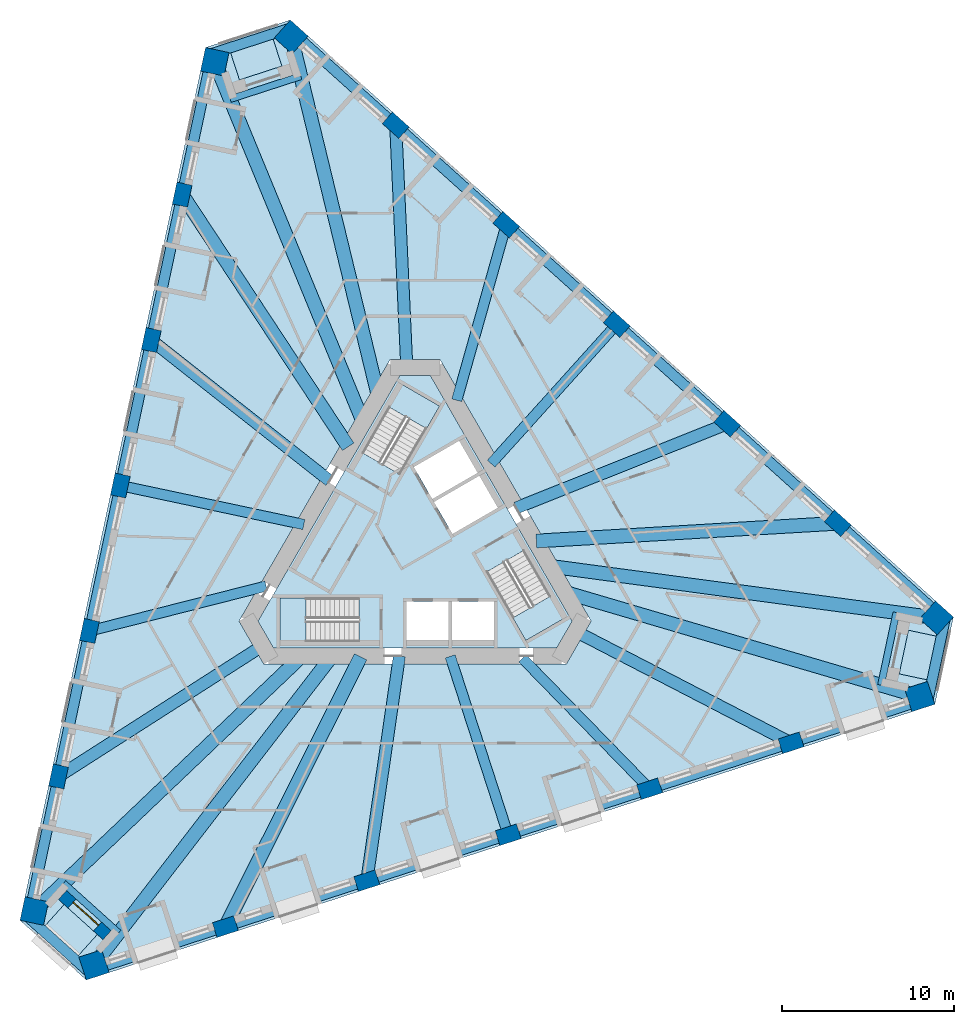
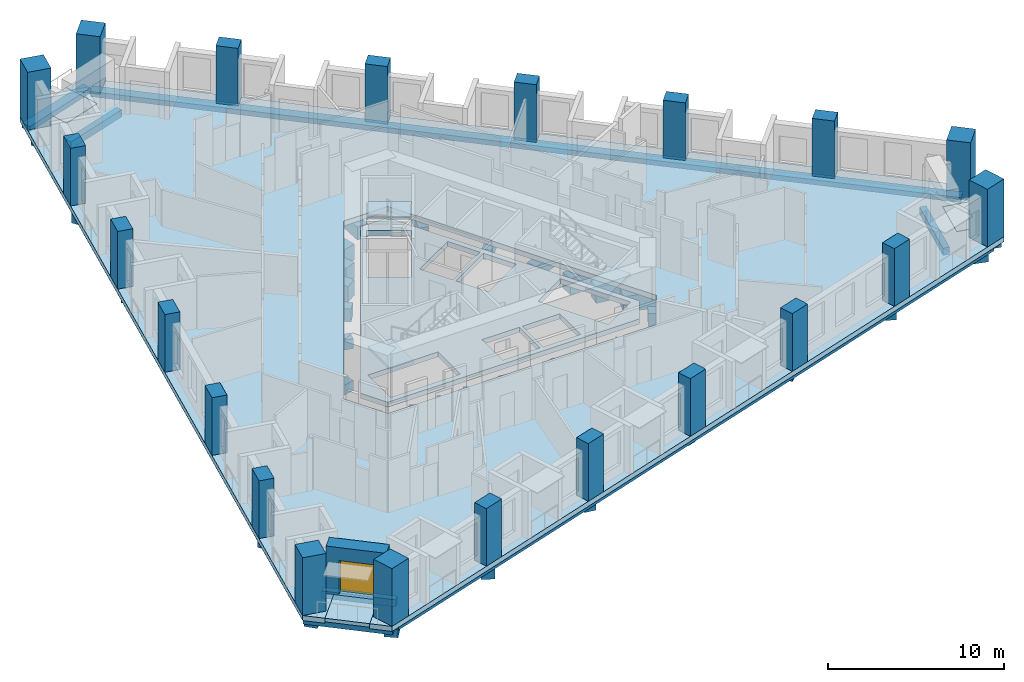
# One storey, part 1 of 13: 30 beams, 21 columns, 8 slabs, 1 door, 1 wall, 1 opening, 3 elements without a shape of their own.
"""IFC4 building model written with IfcOpenShell, lengths in metres."""

from ifc_helpers import new_model, si_unit, direction, frame, frame_2d, origin, origin_2d, place, context, subcontext, project, spatial, polyline, rectangle, outline, extrude, material, layer, layer_set, material_profile, profile_set, type_object, element, fill, aggregate, save


model = new_model("IFC4")

# Units and contexts
model_context = context("Model", 3, precision=1e-05, world=origin(), true_north=direction((0.0, 1.0)))
body_context = subcontext(model_context, "Body", "Model", "MODEL_VIEW")
ifc_project = project(units=[si_unit("LENGTHUNIT", "METRE"), si_unit("AREAUNIT", "SQUARE_METRE"), si_unit("VOLUMEUNIT", "CUBIC_METRE"), si_unit("PLANEANGLEUNIT", "RADIAN"), si_unit("MASSUNIT", "GRAM", prefix="KILO")], contexts=[model_context])

# Site, building, storey
site_placement = place(None, origin())
site = spatial("IfcSite", under=ifc_project, at=site_placement, CompositionType="ELEMENT")
building_placement = place(site_placement, origin())
building = spatial("IfcBuilding", under=site, at=building_placement, Name="Tramontana Tower", CompositionType="ELEMENT")
storey_placement = place(building_placement, frame((0.0, 0.0, 112.39990234375)))
storey = spatial("IfcBuildingStorey", under=building, at=storey_placement, Name="L25", CompositionType="ELEMENT", Elevation=112.39990234375)

# Columns
ifc_material_1 = material(Name="Concrete 70 MPa", Category="concrete")
ifc_material_profile_1 = material_profile(ifc_material_1, rectangle(XDim=1.39990234375, YDim=1.39990234375, at=origin_2d()), Name="Mega column 1400X1400 70 MPa")
ifc_profile_set_1 = profile_set([ifc_material_profile_1], Name="Concrete 70 MPa")
column_type_1 = type_object("IfcColumnType", Name="Mega column 1400X1400 70 MPa", PredefinedType="COLUMN", material=ifc_profile_set_1)
for number, where, z_axis, x_axis, name in (
    (1, (-11.665771484375, 28.3251953125, 0.0), (0.0, 0.0, 1.0), (-0.207911690818, -0.978147600734, 0.0), "Mega column C2K1 L25"),
    (2, (-22.17822265625, -21.13134765625, 0.0), (0.0, 0.0, 1.0), (-0.207911690818, -0.978147600734, 0.0), "Mega column C2K2 L25"),
    (3, (-18.697509765625, -24.265380859375, 0.0), (0.0, 0.0, 1.0), (0.951056516295, 0.309016994375, 0.0), "Mega column C2K3 L25"),
    (4, (29.389404296875, -8.64111328125, 0.0), (0.0, 0.0, 1.0), (0.951056516295, 0.309016994375, 0.0), "Mega column C2K4 L25"),
    (5, (30.36328125, -4.059814453125, 0.0), (0.0, 0.0, 1.0), (-0.743144825477, 0.669130606359, 0.0), "Mega column C2K5 L25"),
    (6, (-7.21142578125, 29.7724609375, 0.0), (0.0, 0.0, 1.0), (-0.743144825477, 0.669130606359, 0.0), "Mega column C2K6 L25"),
):
    element("IfcColumn", number, at=place(storey_placement, frame(where, z_axis=z_axis, x_axis=x_axis)), inside=storey, type_object=column_type_1, Name=name, PredefinedType="COLUMN", context=body_context, shape_type="SweptSolid", body=[
        extrude(rectangle(XDim=1.39990234375, YDim=1.39990234375, at=origin_2d()), origin(), (0.0, 0.0, 1.0), 4.0),
    ])
ifc_material_2 = material(Name="Concrete 55 MPa", Category="concrete")
ifc_material_profile_2 = material_profile(ifc_material_2, rectangle(XDim=1.300048828125, YDim=0.89990234375, at=origin_2d()), Name="Pier column 1300X900 55 MPa")
ifc_profile_set_2 = profile_set([ifc_material_profile_2], Name="Concrete 55 MPa")
column_type_2 = type_object("IfcColumnType", Name="Pier column 1300X900 55 MPa", PredefinedType="COLUMN", material=ifc_profile_set_2)
for number, where, z_axis, x_axis, name in (
    (7, (-13.5654296875, 20.5908203125, 0.0), (0.0, 0.0, 1.0), (-0.207911690818, -0.978147600734, 0.0), "Pier column C2F01 L25"),
    (8, (-15.365966796875, 12.119873046875, 0.0), (0.0, 0.0, 1.0), (-0.207911690818, -0.978147600734, 0.0), "Pier column C2F02 L25"),
    (9, (-17.16650390625, 3.64892578125, 0.0), (0.0, 0.0, 1.0), (-0.207911690818, -0.978147600734, 0.0), "Pier column C2F03 L25"),
    (10, (-18.967041015625, -4.822265625, 0.0), (0.0, 0.0, 1.0), (-0.207911690818, -0.978147600734, 0.0), "Pier column C2F04 L25"),
    (11, (-20.767578125, -13.293212890625, 0.0), (0.0, 0.0, 1.0), (-0.207911690818, -0.978147600734, 0.0), "Pier column C2F05 L25"),
    (12, (-11.049560546875, -22.04345703125, 0.0), (0.0, 0.0, 1.0), (0.951056516295, 0.309016994375, 0.0), "Pier column C2F06 L25"),
    (13, (-2.813232421875, -19.3671875, 0.0), (0.0, 0.0, 1.0), (0.951056516295, 0.309016994375, 0.0), "Pier column C2F07 L25"),
    (14, (5.42333984375, -16.691162109375, 0.0), (0.0, 0.0, 1.0), (0.951056516295, 0.309016994375, 0.0), "Pier column C2F08 L25"),
    (15, (13.65966796875, -14.014892578125, 0.0), (0.0, 0.0, 1.0), (0.951056516295, 0.309016994375, 0.0), "Pier column C2F09 L25"),
    (16, (21.89599609375, -11.338623046875, 0.0), (0.0, 0.0, 1.0), (0.951056516295, 0.309016994375, 0.0), "Pier column C2F10 L25"),
    (17, (24.614990234375, 1.452392578125, 0.0), (0.0, 0.0, 1.0), (-0.743144825477, 0.669130606359, 0.0), "Pier column C2F11 L25"),
    (18, (18.178955078125, 7.247314453125, 0.0), (0.0, 0.0, 1.0), (-0.743144825477, 0.669130606359, 0.0), "Pier column C2F12 L25"),
    (19, (11.7431640625, 13.042236328125, 0.0), (0.0, 0.0, 1.0), (-0.743144825477, 0.669130606359, 0.0), "Pier column C2F13 L25"),
    (20, (5.307373046875, 18.8369140625, 0.0), (0.0, 0.0, 1.0), (-0.743144825477, 0.669130606359, 0.0), "Pier column C2F14 L25"),
    (21, (-1.12841796875, 24.6318359375, 0.0), (0.0, 0.0, 1.0), (-0.743144825477, 0.669130606359, 0.0), "Pier column C2F15 L25"),
):
    element("IfcColumn", number, at=place(storey_placement, frame(where, z_axis=z_axis, x_axis=x_axis)), inside=storey, type_object=column_type_2, Name=name, PredefinedType="COLUMN", context=body_context, shape_type="SweptSolid", body=[
        extrude(rectangle(XDim=1.300048828125, YDim=0.89990234375, at=origin_2d()), origin(), (0.0, 0.0, 1.0), 4.0),
    ])

# Beams
ifc_material_3 = material(Name="Concrete 40 MPa", Category="concrete")
ifc_material_profile_3 = material_profile(ifc_material_3, rectangle(XDim=0.60009765625, YDim=0.35009765625, at=origin_2d()), Name="RC EDGE BEAM 600X350 40 MPa")
ifc_profile_set_3 = profile_set([ifc_material_profile_3], Name="Concrete 40 MPa")
beam_type_1 = type_object("IfcBeamType", Name="RC EDGE BEAM 600X350 40 MPa", PredefinedType="SPANDREL", material=ifc_profile_set_3)
beam_1_placement = place(storey_placement, frame((-11.910400390625, 28.377197265625, -0.52490234375), z_axis=(-0.207908708796, -0.978148234577, 0.0), x_axis=(0.978148234577, -0.207908708796, 0.0)))
element("IfcBeam", 22, at=beam_1_placement, inside=storey, type_object=beam_type_1, Name="Spandrel beam S0 L25", PredefinedType="SPANDREL", context=body_context, shape_type="SweptSolid", body=[
    extrude(rectangle(XDim=0.60009765625, YDim=0.35009765625, at=origin_2d()), origin(), (0.0, 0.0, 1.0), 50.561767578125),
])
beam_2_placement = place(storey_placement, frame((-18.6201171875, -24.503173828125, -0.52490234375), z_axis=(0.95105720178, 0.309014884661, 0.0), x_axis=(-0.309014884661, 0.95105720178, 0.0)))
element("IfcBeam", 23, at=beam_2_placement, inside=storey, type_object=beam_type_1, Name="Spandrel beam S1 L25", PredefinedType="SPANDREL", context=body_context, shape_type="SweptSolid", body=[
    extrude(rectangle(XDim=0.60009765625, YDim=0.35009765625, at=origin_2d()), origin(), (0.0, 0.0, 1.0), 50.5615234375),
])
beam_3_placement = place(storey_placement, frame((30.530517578125, -3.873779296875, -0.52490234375), z_axis=(-0.743146468863, 0.66912878119, 0.0), x_axis=(-0.66912878119, -0.743146468863, 0.0)))
element("IfcBeam", 24, at=beam_3_placement, inside=storey, type_object=beam_type_1, Name="Spandrel beam S2 L25", PredefinedType="SPANDREL", context=body_context, shape_type="SweptSolid", body=[
    extrude(rectangle(XDim=0.60009765625, YDim=0.35009765625, at=origin_2d()), origin(), (0.0, 0.0, 1.0), 50.561279296875),
])
beam_4_placement = place(storey_placement, frame((-7.1240234375, 30.333251953125, -0.52490234375), z_axis=(-0.951056854477, -0.309015953557, 0.0), x_axis=(0.309015953557, -0.951056854477, 0.0)))
element("IfcBeam", 25, at=beam_4_placement, inside=storey, type_object=beam_type_1, Name="Spandrel beam K0 L25", PredefinedType="SPANDREL", context=body_context, shape_type="SweptSolid", body=[
    extrude(rectangle(XDim=0.60009765625, YDim=0.35009765625, at=origin_2d()), origin(), (0.0, 0.0, 1.0), 5.1962890625),
])
beam_5_placement = place(storey_placement, frame((-22.707275390625, -21.336181640625, -0.52490234375), z_axis=(0.743160964229, -0.669112682025, 0.0), x_axis=(0.669112682025, 0.743160964229, 0.0)))
element("IfcBeam", 26, at=beam_5_placement, inside=storey, type_object=beam_type_1, Name="Spandrel beam K1 L25", PredefinedType="SPANDREL", context=body_context, shape_type="SweptSolid", body=[
    extrude(rectangle(XDim=0.60009765625, YDim=0.35009765625, at=origin_2d()), origin(), (0.0, 0.0, 1.0), 5.196044921875),
])
beam_6_placement = place(storey_placement, frame((29.831298828125, -8.9970703125, -0.52490234375), z_axis=(0.207902023431, 0.97814965555, 0.0), x_axis=(-0.97814965555, 0.207902023431, 0.0)))
element("IfcBeam", 27, at=beam_6_placement, inside=storey, type_object=beam_type_1, Name="Spandrel beam K2 L25", PredefinedType="SPANDREL", context=body_context, shape_type="SweptSolid", body=[
    extrude(rectangle(XDim=0.60009765625, YDim=0.35009765625, at=origin_2d()), origin(), (0.0, 0.0, 1.0), 5.1962890625),
])
ifc_material_4 = material(Name="Concrete 40 MPa", Category="concrete")
ifc_material_profile_4 = material_profile(ifc_material_4, rectangle(XDim=0.60009765625, YDim=0.699951171875, at=origin_2d()), Name="RC GIRDER 600X700 40 MPa")
ifc_profile_set_4 = profile_set([ifc_material_profile_4], Name="Concrete 40 MPa")
beam_type_2 = type_object("IfcBeamType", Name="RC GIRDER 600X700 40 MPa", PredefinedType="BEAM", material=ifc_profile_set_4)
beam_7_placement = place(storey_placement, frame((-17.16650390625, 3.64892578125, -0.699951171875), z_axis=(0.978147322784, -0.207912998466, 0.0), x_axis=(0.207912998466, 0.978147322784, 0.0)))
element("IfcBeam", 28, at=beam_7_placement, inside=storey, type_object=beam_type_2, Name="Radial girder C2F03 L25", PredefinedType="BEAM", context=body_context, shape_type="SweptSolid", body=[
    extrude(rectangle(XDim=0.60009765625, YDim=0.699951171875, at=origin_2d()), origin(), (0.0, 0.0, 1.0), 10.927490234375),
])
beam_8_placement = place(storey_placement, frame((-18.967041015625, -4.822265625, -0.699951171875), z_axis=(0.969167879742, 0.24640134106, 0.0), x_axis=(-0.24640134106, 0.969167879742, 0.0)))
element("IfcBeam", 29, at=beam_8_placement, inside=storey, type_object=beam_type_2, Name="Radial girder C2F04 L25", PredefinedType="BEAM", context=body_context, shape_type="SweptSolid", body=[
    extrude(rectangle(XDim=0.60009765625, YDim=0.699951171875, at=origin_2d()), origin(), (0.0, 0.0, 1.0), 10.61962890625),
])
beam_9_placement = place(storey_placement, frame((5.423095703125, -16.69091796875, -0.699951171875), z_axis=(-0.309006757929, 0.951059842257, 0.0), x_axis=(-0.951059842257, -0.309006757929, 0.0)))
element("IfcBeam", 30, at=beam_9_placement, inside=storey, type_object=beam_type_2, Name="Radial girder C2F08 L25", PredefinedType="BEAM", context=body_context, shape_type="SweptSolid", body=[
    extrude(rectangle(XDim=0.60009765625, YDim=0.699951171875, at=origin_2d()), origin(), (0.0, 0.0, 1.0), 10.927734375),
])
beam_10_placement = place(storey_placement, frame((13.65966796875, -14.014892578125, -0.699951171875), z_axis=(-0.697979323515, 0.716117912041, 0.0), x_axis=(-0.716117912041, -0.697979323515, 0.0)))
element("IfcBeam", 31, at=beam_10_placement, inside=storey, type_object=beam_type_2, Name="Radial girder C2F09 L25", PredefinedType="BEAM", context=body_context, shape_type="SweptSolid", body=[
    extrude(rectangle(XDim=0.60009765625, YDim=0.699951171875, at=origin_2d()), origin(), (0.0, 0.0, 1.0), 10.61962890625),
])
beam_11_placement = place(storey_placement, frame((11.7431640625, 13.042236328125, -0.699951171875), z_axis=(-0.669128882364, -0.743146377766, 0.0), x_axis=(0.743146377766, -0.669128882364, 0.0)))
element("IfcBeam", 32, at=beam_11_placement, inside=storey, type_object=beam_type_2, Name="Radial girder C2F13 L25", PredefinedType="BEAM", context=body_context, shape_type="SweptSolid", body=[
    extrude(rectangle(XDim=0.60009765625, YDim=0.699951171875, at=origin_2d()), origin(), (0.0, 0.0, 1.0), 10.927734375),
])
beam_12_placement = place(storey_placement, frame((5.307373046875, 18.8369140625, -0.699951171875), z_axis=(-0.271184951147, -0.962527257937, 0.0), x_axis=(0.962527257937, -0.271184951147, 0.0)))
element("IfcBeam", 33, at=beam_12_placement, inside=storey, type_object=beam_type_2, Name="Radial girder C2F14 L25", PredefinedType="BEAM", context=body_context, shape_type="SweptSolid", body=[
    extrude(rectangle(XDim=0.60009765625, YDim=0.699951171875, at=origin_2d()), origin(), (0.0, 0.0, 1.0), 10.61962890625),
])
ifc_material_5 = material(Name="Concrete 40 MPa", Category="concrete")
ifc_material_profile_5 = material_profile(ifc_material_5, rectangle(XDim=0.699951171875, YDim=0.89990234375, at=origin_2d()), Name="RC GIRDER 700X900 40 MPa")
ifc_profile_set_5 = profile_set([ifc_material_profile_5], Name="Concrete 40 MPa")
beam_type_3 = type_object("IfcBeamType", Name="RC GIRDER 700X900 40 MPa", PredefinedType="BEAM", material=ifc_profile_set_5)
beam_13_placement = place(storey_placement, frame((-15.365966796875, 12.119873046875, -0.7998046875), z_axis=(0.785161962565, -0.619290475093, 0.0), x_axis=(0.619290475093, 0.785161962565, 0.0)))
element("IfcBeam", 34, at=beam_13_placement, inside=storey, type_object=beam_type_3, Name="Radial girder C2F02 L25", PredefinedType="BEAM", context=body_context, shape_type="SweptSolid", body=[
    extrude(rectangle(XDim=0.699951171875, YDim=0.89990234375, at=origin_2d()), origin(), (0.0, 0.0, 1.0), 13.224609375),
])
beam_14_placement = place(storey_placement, frame((-20.767578125, -13.293212890625, -0.7998046875), z_axis=(0.842236860049, 0.539107662323, 0.0), x_axis=(-0.539107662323, 0.842236860049, 0.0)))
element("IfcBeam", 35, at=beam_14_placement, inside=storey, type_object=beam_type_3, Name="Radial girder C2F05 L25", PredefinedType="BEAM", context=body_context, shape_type="SweptSolid", body=[
    extrude(rectangle(XDim=0.699951171875, YDim=0.89990234375, at=origin_2d()), origin(), (0.0, 0.0, 1.0), 14.12109375),
])
beam_15_placement = place(storey_placement, frame((-2.81298828125, -19.3671875, -0.7998046875), z_axis=(0.143736706845, 0.989615965466, 0.0), x_axis=(-0.989615965466, 0.143736706845, 0.0)))
element("IfcBeam", 36, at=beam_15_placement, inside=storey, type_object=beam_type_3, Name="Radial girder C2F07 L25", PredefinedType="BEAM", context=body_context, shape_type="SweptSolid", body=[
    extrude(rectangle(XDim=0.699951171875, YDim=0.89990234375, at=origin_2d()), origin(), (0.0, 0.0, 1.0), 13.224609375),
])
beam_16_placement = place(storey_placement, frame((21.89599609375, -11.338623046875, -0.7998046875), z_axis=(-0.88800272981, 0.45983818007, 0.0), x_axis=(-0.45983818007, -0.88800272981, 0.0)))
element("IfcBeam", 37, at=beam_16_placement, inside=storey, type_object=beam_type_3, Name="Radial girder C2F10 L25", PredefinedType="BEAM", context=body_context, shape_type="SweptSolid", body=[
    extrude(rectangle(XDim=0.699951171875, YDim=0.89990234375, at=origin_2d()), origin(), (0.0, 0.0, 1.0), 14.12109375),
])
beam_17_placement = place(storey_placement, frame((18.17919921875, 7.247314453125, -0.7998046875), z_axis=(-0.928907671919, -0.370311405509, 0.0), x_axis=(0.370311405509, -0.928907671919, 0.0)))
element("IfcBeam", 38, at=beam_17_placement, inside=storey, type_object=beam_type_3, Name="Radial girder C2F12 L25", PredefinedType="BEAM", context=body_context, shape_type="SweptSolid", body=[
    extrude(rectangle(XDim=0.699951171875, YDim=0.89990234375, at=origin_2d()), origin(), (0.0, 0.0, 1.0), 13.224609375),
])
beam_18_placement = place(storey_placement, frame((-1.12841796875, 24.6318359375, -0.7998046875), z_axis=(0.045763702309, -0.99895229293, 0.0), x_axis=(0.99895229293, 0.045763702309, 0.0)))
element("IfcBeam", 39, at=beam_18_placement, inside=storey, type_object=beam_type_3, Name="Radial girder C2F15 L25", PredefinedType="BEAM", context=body_context, shape_type="SweptSolid", body=[
    extrude(rectangle(XDim=0.699951171875, YDim=0.89990234375, at=origin_2d()), origin(), (0.0, 0.0, 1.0), 14.121337890625),
])
ifc_material_6 = material(Name="Concrete 40 MPa", Category="concrete")
ifc_material_profile_6 = material_profile(ifc_material_6, rectangle(XDim=0.800048828125, YDim=1.10009765625, at=origin_2d()), Name="RC GIRDER 800X1100 40 MPa")
ifc_profile_set_6 = profile_set([ifc_material_profile_6], Name="Concrete 40 MPa")
beam_type_4 = type_object("IfcBeamType", Name="RC GIRDER 800X1100 40 MPa", PredefinedType="BEAM", material=ifc_profile_set_6)
beam_19_placement = place(storey_placement, frame((-11.665771484375, 28.3251953125, -0.89990234375), z_axis=(0.380819934235, -0.924649218725, 0.0), x_axis=(0.924649218725, 0.380819934235, 0.0)))
element("IfcBeam", 40, at=beam_19_placement, inside=storey, type_object=beam_type_4, Name="Radial girder C2K1 L25", PredefinedType="BEAM", context=body_context, shape_type="SweptSolid", body=[
    extrude(rectangle(XDim=0.800048828125, YDim=1.10009765625, at=origin_2d()), origin(), (0.0, 0.0, 1.0), 22.5869140625),
])
beam_20_placement = place(storey_placement, frame((-13.5654296875, 20.5908203125, -0.89990234375), z_axis=(0.550154503281, -0.835062885368, 0.0), x_axis=(0.835062885368, 0.550154503281, 0.0)))
element("IfcBeam", 41, at=beam_20_placement, inside=storey, type_object=beam_type_4, Name="Radial girder C2F01 L25", PredefinedType="BEAM", context=body_context, shape_type="SweptSolid", body=[
    extrude(rectangle(XDim=0.800048828125, YDim=1.10009765625, at=origin_2d()), origin(), (0.0, 0.0, 1.0), 17.58203125),
])
beam_21_placement = place(storey_placement, frame((-22.177978515625, -21.13134765625, -0.89990234375), z_axis=(0.723983254275, 0.689817546551, 0.0), x_axis=(-0.689817546551, 0.723983254275, 0.0)))
element("IfcBeam", 42, at=beam_21_placement, inside=storey, type_object=beam_type_4, Name="Radial girder C2K2 L25", PredefinedType="BEAM", context=body_context, shape_type="SweptSolid", body=[
    extrude(rectangle(XDim=0.800048828125, YDim=1.10009765625, at=origin_2d()), origin(), (0.0, 0.0, 1.0), 21.322998046875),
])
beam_22_placement = place(storey_placement, frame((-18.697509765625, -24.265380859375, -0.89990234375), z_axis=(0.610367161523, 0.792118632614, 0.0), x_axis=(-0.792118632614, 0.610367161523, 0.0)))
element("IfcBeam", 43, at=beam_22_placement, inside=storey, type_object=beam_type_4, Name="Radial girder C2K3 L25", PredefinedType="BEAM", context=body_context, shape_type="SweptSolid", body=[
    extrude(rectangle(XDim=0.800048828125, YDim=1.10009765625, at=origin_2d()), origin(), (0.0, 0.0, 1.0), 22.5869140625),
])
beam_23_placement = place(storey_placement, frame((-11.049560546875, -22.04345703125, -0.89990234375), z_axis=(0.448118712833, 0.893974059584, 0.0), x_axis=(-0.893974059584, 0.448118712833, 0.0)))
element("IfcBeam", 44, at=beam_23_placement, inside=storey, type_object=beam_type_4, Name="Radial girder C2F06 L25", PredefinedType="BEAM", context=body_context, shape_type="SweptSolid", body=[
    extrude(rectangle(XDim=0.800048828125, YDim=1.10009765625, at=origin_2d()), origin(), (0.0, 0.0, 1.0), 17.582275390625),
])
beam_24_placement = place(storey_placement, frame((29.389404296875, -8.64111328125, -0.89990234375), z_axis=(-0.959390293023, 0.282082019372, 0.0), x_axis=(-0.282082019372, -0.959390293023, 0.0)))
element("IfcBeam", 45, at=beam_24_placement, inside=storey, type_object=beam_type_4, Name="Radial girder C2K4 L25", PredefinedType="BEAM", context=body_context, shape_type="SweptSolid", body=[
    extrude(rectangle(XDim=0.800048828125, YDim=1.10009765625, at=origin_2d()), origin(), (0.0, 0.0, 1.0), 21.3232421875),
])
beam_25_placement = place(storey_placement, frame((30.36328125, -4.059814453125, -0.89990234375), z_axis=(-0.99117940686, 0.132526915819, 0.0), x_axis=(-0.132526915819, -0.99117940686, 0.0)))
element("IfcBeam", 46, at=beam_25_placement, inside=storey, type_object=beam_type_4, Name="Radial girder C2K5 L25", PredefinedType="BEAM", context=body_context, shape_type="SweptSolid", body=[
    extrude(rectangle(XDim=0.800048828125, YDim=1.10009765625, at=origin_2d()), origin(), (0.0, 0.0, 1.0), 22.587158203125),
])
beam_26_placement = place(storey_placement, frame((24.614990234375, 1.452392578125, -0.89990234375), z_axis=(-0.998263727152, -0.058902725346, 0.0), x_axis=(0.058902725346, -0.998263727152, 0.0)))
element("IfcBeam", 47, at=beam_26_placement, inside=storey, type_object=beam_type_4, Name="Radial girder C2F11 L25", PredefinedType="BEAM", context=body_context, shape_type="SweptSolid", body=[
    extrude(rectangle(XDim=0.800048828125, YDim=1.10009765625, at=origin_2d()), origin(), (0.0, 0.0, 1.0), 17.582275390625),
])
beam_27_placement = place(storey_placement, frame((-7.211181640625, 29.7724609375, -0.89990234375), z_axis=(0.235403401789, -0.971897751014, 0.0), x_axis=(0.971897751014, 0.235403401789, 0.0)))
element("IfcBeam", 48, at=beam_27_placement, inside=storey, type_object=beam_type_4, Name="Radial girder C2K6 L25", PredefinedType="BEAM", context=body_context, shape_type="SweptSolid", body=[
    extrude(rectangle(XDim=0.800048828125, YDim=1.10009765625, at=origin_2d()), origin(), (0.0, 0.0, 1.0), 21.322998046875),
])
ifc_material_7 = material(Name="Concrete 40 MPa", Category="concrete")
ifc_material_profile_7 = material_profile(ifc_material_7, rectangle(XDim=0.39990234375, YDim=0.5, at=origin_2d()), Name="RC TRIM BEAM 400X500 40 MPa")
ifc_profile_set_7 = profile_set([ifc_material_profile_7], Name="Concrete 40 MPa")
beam_type_5 = type_object("IfcBeamType", Name="RC TRIM BEAM 400X500 40 MPa", PredefinedType="JOIST", material=ifc_profile_set_7)
for number, where, z_axis, x_axis, name in (
    (49, (-6.657958984375, 27.48779296875, -0.599853515625), (-0.951061034198, -0.309003089354, 0.0), (0.309003089354, -0.951061034198, 0.0), "Trimmer beam K0 L25"),
    (50, (-20.476318359375, -19.510009765625, -0.599853515625), (0.743173417356, -0.669098850496, 0.0), (0.669098850496, 0.743173417356, 0.0), "Trimmer beam K1 L25"),
    (51, (27.13427734375, -7.97802734375, -0.599853515625), (0.207882389407, 0.978153828482, 0.0), (-0.978153828482, 0.207882389407, 0.0), "Trimmer beam K2 L25"),
):
    element("IfcBeam", number, at=place(storey_placement, frame(where, z_axis=z_axis, x_axis=x_axis)), inside=storey, type_object=beam_type_5, Name=name, PredefinedType="JOIST", context=body_context, shape_type="SweptSolid", body=[
        extrude(rectangle(XDim=0.39990234375, YDim=0.5, at=origin_2d()), origin(), (0.0, 0.0, 1.0), 4.32421875),
    ])

# Slabs
ifc_material_8 = material(Name="Precast concrete 50 MPa", Category="concrete")
ifc_layer_1 = layer(ifc_material_8, 0.25)
ifc_layer_set_1 = layer_set([ifc_layer_1], Name="LT1 Loggia floor tray 250")
slab_type_1 = type_object("IfcSlabType", Name="LT1 Loggia floor tray 250", PredefinedType="FLOOR", material=ifc_layer_set_1)
slab_1_placement = place(storey_placement, frame((0.0, 0.0, -0.25)))
element("IfcSlab", 52, at=slab_1_placement, inside=storey, type_object=slab_type_1, Name="Corner loggia floor L25 K20", PredefinedType="FLOOR", context=body_context, shape_type="SweptSolid", body=[
    extrude(outline(polyline([(-8.49755859375, 30.360107421875), (-7.756103515625, 28.077392578125), (-10.228759765625, 27.27392578125), (-10.970458984375, 29.556640625), (-8.49755859375, 30.360107421875)])), origin(), (0.0, 0.0, 1.0), 0.25),
])
slab_2_placement = place(storey_placement, frame((0.0, 0.0, -0.25)))
element("IfcSlab", 53, at=slab_2_placement, inside=storey, type_object=slab_type_1, Name="Corner loggia floor L25 K21", PredefinedType="FLOOR", context=body_context, shape_type="SweptSolid", body=[
    extrude(outline(polyline([(-22.043701171875, -22.539306640625), (-20.437744140625, -20.755615234375), (-18.505615234375, -22.495361328125), (-20.111572265625, -24.279052734375), (-22.043701171875, -22.539306640625)])), origin(), (0.0, 0.0, 1.0), 0.25),
])
slab_3_placement = place(storey_placement, frame((0.0, 0.0, -0.25)))
element("IfcSlab", 54, at=slab_3_placement, inside=storey, type_object=slab_type_1, Name="Corner loggia floor L25 K22", PredefinedType="FLOOR", context=body_context, shape_type="SweptSolid", body=[
    extrude(outline(polyline([(30.541259765625, -7.82080078125), (28.19384765625, -7.32177734375), (28.734375, -4.778564453125), (31.08203125, -5.277587890625), (30.541259765625, -7.82080078125)])), origin(), (0.0, 0.0, 1.0), 0.25),
])
ifc_material_9 = material(Name="Concrete 40 MPa", Category="concrete")
ifc_layer_2 = layer(ifc_material_9, 0.35009765625)
ifc_layer_set_2 = layer_set([ifc_layer_2], Name="PT FLAT SLAB 350 40 MPa")
slab_type_2 = type_object("IfcSlabType", Name="PT FLAT SLAB 350 40 MPa", PredefinedType="FLOOR", material=ifc_layer_set_2)
slab_4_placement = place(storey_placement, frame((0.0, 0.0, -0.349853515625)))
element("IfcSlab", 55, at=slab_4_placement, inside=storey, type_object=slab_type_2, Name="Floor slab L25", PredefinedType="FLOOR", context=body_context, shape_type="SweptSolid", body=[
    extrude(outline(polyline([(31.081787109375, -5.277587890625), (28.734375, -4.778564453125), (28.19384765625, -7.32177734375), (30.54150390625, -7.82080078125), (30.271484375, -9.090576171875), (-19.14697265625, -25.1474609375), (-20.111572265625, -24.27880859375), (-18.505615234375, -22.495361328125), (-20.437744140625, -20.755615234375), (-22.043701171875, -22.539306640625), (-23.00830078125, -21.670654296875), (-12.205078125, 29.155517578125), (-10.970458984375, 29.556640625), (-10.228759765625, 27.27392578125), (-7.756103515625, 28.077392578125), (-8.497802734375, 30.360107421875), (-7.26318359375, 30.760986328125), (31.351806640625, -4.0078125), (31.081787109375, -5.277587890625)]), holes=[polyline([(-10.248046875, -4.25), (-8.8046875, -6.75), (8.8046875, -6.75), (10.248046875, -4.25), (1.443359375, 11.0), (-1.443359375, 11.0), (-10.248046875, -4.25)])]), origin(), (0.0, 0.0, 1.0), 0.349853515625),
])
slab_5_placement = place(storey_placement, frame((0.0, 0.0, -0.349853515625)))
element("IfcSlab", 56, at=slab_5_placement, inside=storey, type_object=slab_type_2, Name="Core floor slab L25", PredefinedType="FLOOR", context=body_context, shape_type="SweptSolid", body=[
    extrude(outline(polyline([(9.15087890625, -4.25), (8.256103515625, -5.800048828125), (-8.256103515625, -5.800048828125), (-9.15087890625, -4.25), (-0.89501953125, 10.050048828125), (0.89501953125, 10.050048828125), (9.15087890625, -4.25)]), holes=[polyline([(8.659912109375, -4.099365234375), (6.35986328125, -0.115478515625), (4.151611328125, -1.390625), (6.451416015625, -5.374267578125), (8.659912109375, -4.099365234375)]), polyline([(3.829833984375, 4.2666015625), (1.101806640625, 2.69140625), (2.177001953125, 0.82958984375), (4.90478515625, 2.404541015625), (3.829833984375, 4.2666015625)]), polyline([(4.590087890625, -3.10009765625), (2.139892578125, -3.10009765625), (2.139892578125, -5.449951171875), (4.590087890625, -5.449951171875), (4.590087890625, -3.10009765625)]), polyline([(2.65478515625, 6.3017578125), (-0.072998046875, 4.726806640625), (1.001953125, 2.86474609375), (3.729736328125, 4.439697265625), (2.65478515625, 6.3017578125)]), polyline([(1.93994140625, -5.449951171875), (1.93994140625, -3.10009765625), (-0.510009765625, -3.10009765625), (-0.510009765625, -5.449951171875), (1.93994140625, -5.449951171875)]), polyline([(-0.77978515625, 9.54931640625), (-3.079833984375, 5.565673828125), (-0.87158203125, 4.29052734375), (1.428466796875, 8.2744140625), (-0.77978515625, 9.54931640625)]), polyline([(-7.8798828125, -5.449951171875), (-3.280029296875, -5.449951171875), (-3.280029296875, -2.89990234375), (-7.8798828125, -2.89990234375), (-7.8798828125, -5.449951171875)])]), origin(), (0.0, 0.0, 1.0), 0.349853515625),
])

# Stair, slab
ifc_material_10 = material(Name="Concrete 40 MPa", Category="concrete")
stair_type = type_object("IfcStairType", Name="EXIT STAIR 24 RISERS", PredefinedType="HALF_TURN_STAIR", material=ifc_material_10)
stair_1_placement = place(storey_placement, origin())
stair_1 = element("IfcStair", 57, at=stair_1_placement, inside=storey, type_object=stair_type, Name="L25 Exit stair ST1", PredefinedType="HALF_TURN_STAIR")
ifc_material_11 = material(Name="Concrete 40 MPa", Category="concrete")
ifc_layer_3 = layer(ifc_material_11, 0.199951171875)
ifc_layer_set_3 = layer_set([ifc_layer_3], Name="STAIR LANDING 200")
slab_type_3 = type_object("IfcSlabType", Name="STAIR LANDING 200", PredefinedType="LANDING", material=ifc_layer_set_3)
slab_6_placement = place(storey_placement, frame((0.0, 0.0, 1.800048828125)))
slab_6 = element("IfcSlab", 58, at=slab_6_placement, type_object=slab_type_3, Name="ST1 landing 1", PredefinedType="LANDING", context=body_context, shape_type="SweptSolid", body=[
    extrude(outline(polyline([(0.66845703125, 6.9580078125), (1.428466796875, 8.274169921875), (-0.77978515625, 9.54931640625), (-1.539794921875, 8.23291015625), (0.66845703125, 6.9580078125)])), origin(), (0.0, 0.0, 1.0), 0.199951171875),
])
aggregate(stair_1, [slab_6])

stair_2_placement = place(storey_placement, origin())
stair_2 = element("IfcStair", 59, at=stair_2_placement, inside=storey, type_object=stair_type, Name="L25 Exit stair ST2", PredefinedType="HALF_TURN_STAIR")
slab_7_placement = place(storey_placement, frame((0.0, 0.0, 1.800048828125)))
slab_7 = element("IfcSlab", 60, at=slab_7_placement, type_object=slab_type_3, Name="ST2 landing 1", PredefinedType="LANDING", context=body_context, shape_type="SweptSolid", body=[
    extrude(outline(polyline([(-6.360107421875, -2.89990234375), (-7.8798828125, -2.89990234375), (-7.8798828125, -5.449951171875), (-6.360107421875, -5.449951171875), (-6.360107421875, -2.89990234375)])), origin(), (0.0, 0.0, 1.0), 0.199951171875),
])
aggregate(stair_2, [slab_7])

stair_3_placement = place(storey_placement, origin())
stair_3 = element("IfcStair", 61, at=stair_3_placement, inside=storey, type_object=stair_type, Name="L25 Exit stair ST3", PredefinedType="HALF_TURN_STAIR")
slab_8_placement = place(storey_placement, frame((0.0, 0.0, 1.800048828125)))
slab_8 = element("IfcSlab", 62, at=slab_8_placement, type_object=slab_type_3, Name="ST3 landing 1", PredefinedType="LANDING", context=body_context, shape_type="SweptSolid", body=[
    extrude(outline(polyline([(5.69140625, -4.057861328125), (6.451416015625, -5.374267578125), (8.659912109375, -4.099365234375), (7.89990234375, -2.782958984375), (5.69140625, -4.057861328125)])), origin(), (0.0, 0.0, 1.0), 0.199951171875),
])
aggregate(stair_3, [slab_8])

# Wall, opening, door
ifc_material_12 = material(Name="Precast concrete 60 MPa", Category="concrete")
ifc_layer_4 = layer(ifc_material_12, 0.89990234375)
ifc_layer_set_4 = layer_set([ifc_layer_4], Name="EW2 Stone-faced corner loggia wall 900")
wall_type = type_object("IfcWallType", Name="EW2 Stone-faced corner loggia wall 900", PredefinedType="SOLIDWALL", material=ifc_layer_set_4)
wall_placement = place(storey_placement, frame((-17.8701171875, -22.462158203125, 0.0), z_axis=(0.0, 0.0, 1.0), x_axis=(-0.743141519559, 0.669134277936, 0.0)))
wall = element("IfcWall", 63, at=wall_placement, inside=storey, type_object=wall_type, Name="Corner loggia wall L25 K21", PredefinedType="SOLIDWALL", context=body_context, shape_type="SweptSolid", body=[
    extrude(rectangle(XDim=3.5, YDim=0.89990234375, at=frame_2d((1.75, 0.0))), origin(), (0.0, 0.0, 1.0), 3.300048828125),
])
opening_placement = place(wall_placement, frame((0.75, 0.0, 0.0)))
opening = element("IfcOpeningElement", 64, at=opening_placement, cuts=wall, Name="Opening BD-21C", PredefinedType="OPENING", context=body_context, shape_type="SweptSolid", body=[
    extrude(rectangle(XDim=2.0, YDim=2.39990234375, at=frame_2d((1.0, 1.199951171875))), frame((0.0, 0.4599609375, 0.0), z_axis=(0.0, -1.0, 0.0), x_axis=(1.0, 0.0, 0.0)), (0.0, 0.0, 1.0), 0.919921875),
])
ifc_material_13 = material(Name="Aluminum frame, double glazing unit", Category="aluminium")
door_type = type_object("IfcDoorType", Name="BC1 Sliding door 2 x 2.4", OperationType="SLIDING_TO_LEFT", PredefinedType="DOOR", material=ifc_material_13)
door_placement = place(opening_placement, origin())
door = element("IfcDoor", 65, at=door_placement, inside=storey, type_object=door_type, Name="Corner loggia door L25 K21", OperationType="SLIDING_TO_LEFT", OverallHeight=2.39990234375, OverallWidth=2.0, PredefinedType="DOOR", context=body_context, shape_type="SweptSolid", body=[
    extrude(rectangle(XDim=2.0, YDim=2.39990234375, at=frame_2d((1.0, 1.199951171875))), frame((0.0, 0.02490234375, 0.0), z_axis=(0.0, -1.0, 0.0), x_axis=(1.0, 0.0, 0.0)), (0.0, 0.0, 1.0), 0.050048828125),
])
fill(opening, door)

save(model, "model.ifc")
